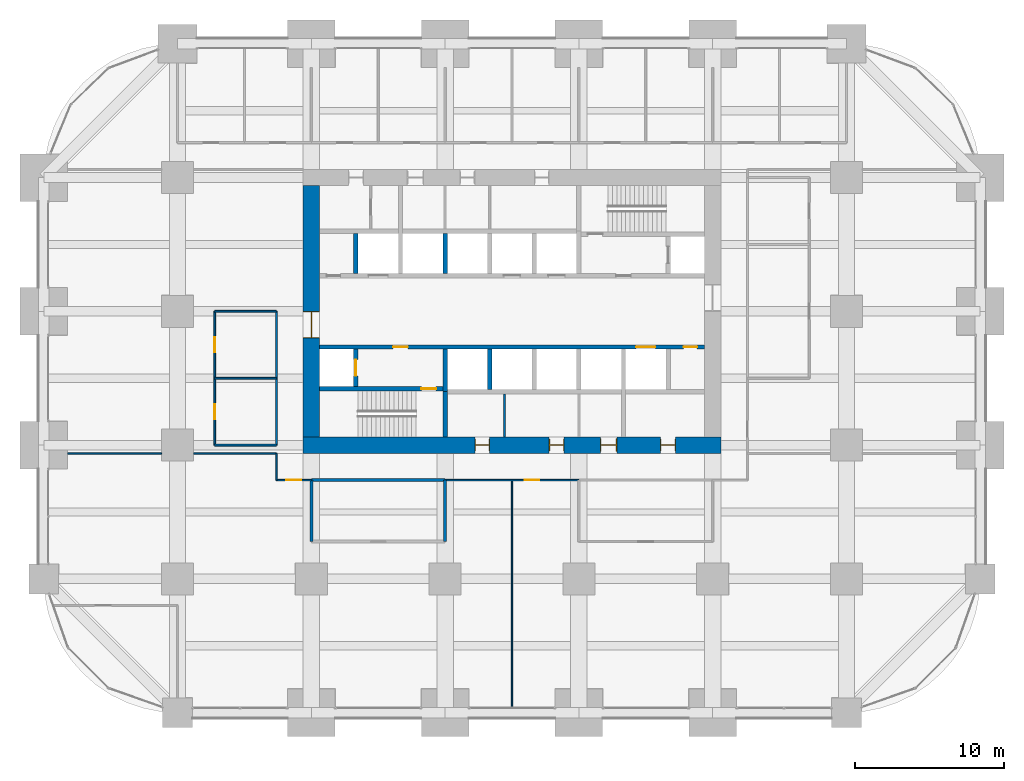
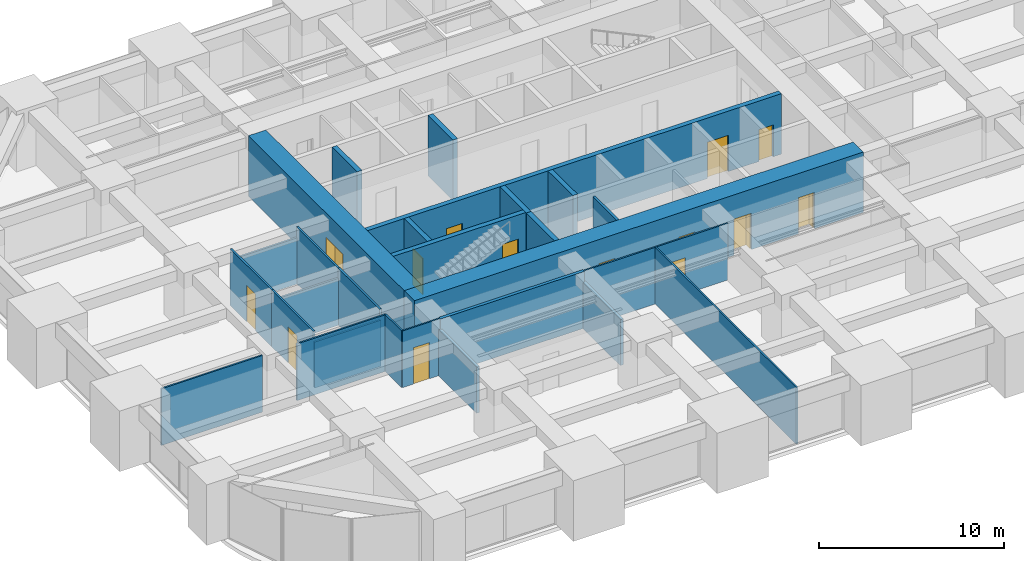
# One storey, part 37 of 41: 27 walls, 14 doors, 14 openings.
"""IFC4 building model written with IfcOpenShell, lengths in metres."""

from ifc_helpers import new_model, si_unit, direction, frame, frame_2d, origin, place, context, subcontext, project, spatial, rectangle, extrude, material, layer, layer_set, type_object, element, fill, save


model = new_model("IFC4")

# Units and contexts
model_context = context("Model", 3, precision=1e-05, world=origin(), true_north=direction((0.0, 1.0)))
body_context = subcontext(model_context, "Body", "Model", "MODEL_VIEW")
ifc_project = project(units=[si_unit("LENGTHUNIT", "METRE"), si_unit("AREAUNIT", "SQUARE_METRE"), si_unit("VOLUMEUNIT", "CUBIC_METRE"), si_unit("PLANEANGLEUNIT", "RADIAN"), si_unit("MASSUNIT", "GRAM", prefix="KILO")], contexts=[model_context])

# Site, building, storey
site_placement = place(None, origin())
site = spatial("IfcSite", under=ifc_project, at=site_placement, CompositionType="ELEMENT")
building_placement = place(site_placement, origin())
building = spatial("IfcBuilding", under=site, at=building_placement, Name="Zorevar Civic Tower", CompositionType="ELEMENT")
storey_placement = place(building_placement, frame((0.0, 0.0, 89.0)))
storey = spatial("IfcBuildingStorey", under=building, at=storey_placement, Name="L21", CompositionType="ELEMENT", Elevation=89.0)

# Walls
ifc_material_1 = material(Name="Concrete blockwork", Category="masonry")
ifc_layer_1 = layer(ifc_material_1, 0.199951171875)
ifc_layer_set_1 = layer_set([ifc_layer_1], Name="Blockwork wall 200")
wall_type_1 = type_object("IfcWallType", Name="Blockwork wall 200", PredefinedType="SOLIDWALL", material=ifc_layer_set_1)
wall_1_placement = place(storey_placement, frame((18.0, 15.64990234375, 0.0), z_axis=(0.0, 0.0, 1.0), x_axis=(1.0, 0.0, 0.0)))
element("IfcWall", 1, at=wall_1_placement, inside=storey, type_object=wall_type_1, Name="Blockwork wall 200 L21", PredefinedType="SOLIDWALL", context=body_context, shape_type="SweptSolid", body=[
    extrude(rectangle(XDim=9.0, YDim=0.199951171875, at=frame_2d((4.5, 0.0))), origin(), (0.0, 0.0, 1.0), 3.75),
])
for number, where, z_axis, x_axis, name in (
    (2, (18.0, 11.5, 0.0), (0.0, 0.0, 1.0), (0.0, 1.0, 0.0), "Blockwork wall 200 L21"),
    (3, (27.0, 11.5, 0.0), (0.0, 0.0, 1.0), (0.0, 1.0, 0.0), "Blockwork wall 200 L21"),
):
    element("IfcWall", number, at=place(storey_placement, frame(where, z_axis=z_axis, x_axis=x_axis)), inside=storey, type_object=wall_type_1, Name=name, PredefinedType="SOLIDWALL", context=body_context, shape_type="SweptSolid", body=[
        extrude(rectangle(XDim=4.14990234375, YDim=0.199951171875, at=frame_2d((2.074951171875, 0.0))), origin(), (0.0, 0.0, 1.0), 3.050048828125),
    ])

# Wall, openings, doors
ifc_material_2 = material(Name="Concrete C50/60", Category="concrete")
ifc_layer_2 = layer(ifc_material_2, 1.10009765625)
ifc_layer_set_2 = layer_set([ifc_layer_2], Name="Core wall 1100")
wall_type_2 = type_object("IfcWallType", Name="Core wall 1100", PredefinedType="SHEAR", material=ifc_layer_set_2)
wall_2_placement = place(storey_placement, frame((17.449951171875, 18.0, 0.0), z_axis=(0.0, 0.0, 1.0), x_axis=(1.0, 0.0, 0.0)))
wall_2 = element("IfcWall", 4, at=wall_2_placement, inside=storey, type_object=wall_type_2, Name="Core wall S L21", PredefinedType="SHEAR", context=body_context, shape_type="SweptSolid", body=[
    extrude(rectangle(XDim=28.10009765625, YDim=1.10009765625, at=frame_2d((14.050048828125, 0.0))), origin(), (0.0, 0.0, 1.0), 4.0),
])
opening_1_placement = place(wall_2_placement, frame((11.550048828125, 0.0, 0.0)))
opening_1 = element("IfcOpeningElement", 5, at=opening_1_placement, cuts=wall_2, Name="Opening L21.03", PredefinedType="OPENING", context=body_context, shape_type="SweptSolid", body=[
    extrude(rectangle(XDim=1.0, YDim=2.39990234375, at=frame_2d((0.5, 1.199951171875))), frame((0.0, 0.56005859375, 0.0), z_axis=(0.0, -1.0, 0.0), x_axis=(1.0, 0.0, 0.0)), (0.0, 0.0, 1.0), 1.1201171875),
])
opening_2_placement = place(wall_2_placement, frame((16.550048828125, 0.0, 0.0)))
opening_2 = element("IfcOpeningElement", 6, at=opening_2_placement, cuts=wall_2, Name="Opening L21.04", PredefinedType="OPENING", context=body_context, shape_type="SweptSolid", body=[
    extrude(rectangle(XDim=1.0, YDim=2.39990234375, at=frame_2d((0.5, 1.199951171875))), frame((0.0, 0.56005859375, 0.0), z_axis=(0.0, -1.0, 0.0), x_axis=(1.0, 0.0, 0.0)), (0.0, 0.0, 1.0), 1.1201171875),
])
opening_3_placement = place(wall_2_placement, frame((20.0, 0.0, 0.0)))
opening_3 = element("IfcOpeningElement", 7, at=opening_3_placement, cuts=wall_2, Name="Opening L21.05", PredefinedType="OPENING", context=body_context, shape_type="SweptSolid", body=[
    extrude(rectangle(XDim=1.10009765625, YDim=2.39990234375, at=frame_2d((0.550048828125, 1.199951171875))), frame((0.0, 0.56005859375, 0.0), z_axis=(0.0, -1.0, 0.0), x_axis=(1.0, 0.0, 0.0)), (0.0, 0.0, 1.0), 1.1201171875),
])
opening_4_placement = place(wall_2_placement, frame((24.050048828125, 0.0, 0.0)))
opening_4 = element("IfcOpeningElement", 8, at=opening_4_placement, cuts=wall_2, Name="Opening L21.06", PredefinedType="OPENING", context=body_context, shape_type="SweptSolid", body=[
    extrude(rectangle(XDim=1.0, YDim=2.39990234375, at=frame_2d((0.5, 1.199951171875))), frame((0.0, 0.56005859375, 0.0), z_axis=(0.0, -1.0, 0.0), x_axis=(1.0, 0.0, 0.0)), (0.0, 0.0, 1.0), 1.1201171875),
])
ifc_material_3 = material(Name="Timber door set", Category="wood")
door_type_1 = type_object("IfcDoorType", Name="Door D1 1000x2400", OperationType="SINGLE_SWING_LEFT", PredefinedType="DOOR", material=ifc_material_3)
door_1_placement = place(opening_1_placement, origin())
door_1 = element("IfcDoor", 9, at=door_1_placement, inside=storey, type_object=door_type_1, Name="Door L21 02", OperationType="SINGLE_SWING_RIGHT", OverallHeight=2.39990234375, OverallWidth=1.0, PredefinedType="DOOR", context=body_context, shape_type="SweptSolid", body=[
    extrude(rectangle(XDim=1.0, YDim=2.39990234375, at=frame_2d((0.5, 1.199951171875))), frame((0.0, 0.02490234375, 0.0), z_axis=(0.0, -1.0, 0.0), x_axis=(1.0, 0.0, 0.0)), (0.0, 0.0, 1.0), 0.050048828125),
    extrude(rectangle(XDim=0.04, YDim=2.39990234375, at=frame_2d((0.02001953125, 1.199951171875))), frame((0.0, 0.39990234375, 0.0), z_axis=(0.0, -1.0, 0.0), x_axis=(1.0, 0.0, 0.0)), (0.0, 0.0, 1.0), 0.800048828125),
    extrude(rectangle(XDim=0.04, YDim=2.39990234375, at=frame_2d((0.97998046875, 1.199951171875))), frame((0.0, 0.39990234375, 0.0), z_axis=(0.0, -1.0, 0.0), x_axis=(1.0, 0.0, 0.0)), (0.0, 0.0, 1.0), 0.800048828125),
    extrude(rectangle(XDim=1.0, YDim=0.04, at=frame_2d((0.5, 2.3798828125))), frame((0.0, 0.39990234375, 0.0), z_axis=(0.0, -1.0, 0.0), x_axis=(1.0, 0.0, 0.0)), (0.0, 0.0, 1.0), 0.800048828125),
])
fill(opening_1, door_1)
door_2_placement = place(opening_2_placement, origin())
door_2 = element("IfcDoor", 10, at=door_2_placement, inside=storey, type_object=door_type_1, Name="Door L21 03", OperationType="SINGLE_SWING_LEFT", OverallHeight=2.39990234375, OverallWidth=1.0, PredefinedType="DOOR", context=body_context, shape_type="SweptSolid", body=[
    extrude(rectangle(XDim=1.0, YDim=2.39990234375, at=frame_2d((0.5, 1.199951171875))), frame((0.0, 0.02490234375, 0.0), z_axis=(0.0, -1.0, 0.0), x_axis=(1.0, 0.0, 0.0)), (0.0, 0.0, 1.0), 0.050048828125),
    extrude(rectangle(XDim=0.04, YDim=2.39990234375, at=frame_2d((0.02001953125, 1.199951171875))), frame((0.0, 0.39990234375, 0.0), z_axis=(0.0, -1.0, 0.0), x_axis=(1.0, 0.0, 0.0)), (0.0, 0.0, 1.0), 0.800048828125),
    extrude(rectangle(XDim=0.04, YDim=2.39990234375, at=frame_2d((0.97998046875, 1.199951171875))), frame((0.0, 0.39990234375, 0.0), z_axis=(0.0, -1.0, 0.0), x_axis=(1.0, 0.0, 0.0)), (0.0, 0.0, 1.0), 0.800048828125),
    extrude(rectangle(XDim=1.0, YDim=0.04, at=frame_2d((0.5, 2.3798828125))), frame((0.0, 0.39990234375, 0.0), z_axis=(0.0, -1.0, 0.0), x_axis=(1.0, 0.0, 0.0)), (0.0, 0.0, 1.0), 0.800048828125),
])
fill(opening_2, door_2)
door_3_placement = place(opening_4_placement, origin())
door_3 = element("IfcDoor", 11, at=door_3_placement, inside=storey, type_object=door_type_1, Name="Door L21 05", OperationType="SINGLE_SWING_LEFT", OverallHeight=2.39990234375, OverallWidth=1.0, PredefinedType="DOOR", context=body_context, shape_type="SweptSolid", body=[
    extrude(rectangle(XDim=1.0, YDim=2.39990234375, at=frame_2d((0.5, 1.199951171875))), frame((0.0, 0.02490234375, 0.0), z_axis=(0.0, -1.0, 0.0), x_axis=(1.0, 0.0, 0.0)), (0.0, 0.0, 1.0), 0.050048828125),
    extrude(rectangle(XDim=0.04, YDim=2.39990234375, at=frame_2d((0.02001953125, 1.199951171875))), frame((0.0, 0.39990234375, 0.0), z_axis=(0.0, -1.0, 0.0), x_axis=(1.0, 0.0, 0.0)), (0.0, 0.0, 1.0), 0.800048828125),
    extrude(rectangle(XDim=0.04, YDim=2.39990234375, at=frame_2d((0.97998046875, 1.199951171875))), frame((0.0, 0.39990234375, 0.0), z_axis=(0.0, -1.0, 0.0), x_axis=(1.0, 0.0, 0.0)), (0.0, 0.0, 1.0), 0.800048828125),
    extrude(rectangle(XDim=1.0, YDim=0.04, at=frame_2d((0.5, 2.3798828125))), frame((0.0, 0.39990234375, 0.0), z_axis=(0.0, -1.0, 0.0), x_axis=(1.0, 0.0, 0.0)), (0.0, 0.0, 1.0), 0.800048828125),
])
fill(opening_4, door_3)
ifc_material_4 = material(Name="Timber door set", Category="wood")
door_type_2 = type_object("IfcDoorType", Name="Door D5 1100x2400", OperationType="SINGLE_SWING_LEFT", PredefinedType="DOOR", material=ifc_material_4)
door_4_placement = place(opening_3_placement, origin())
door_4 = element("IfcDoor", 12, at=door_4_placement, inside=storey, type_object=door_type_2, Name="Door L21 04", OperationType="SINGLE_SWING_LEFT", OverallHeight=2.39990234375, OverallWidth=1.10009765625, PredefinedType="DOOR", context=body_context, shape_type="SweptSolid", body=[
    extrude(rectangle(XDim=1.10009765625, YDim=2.39990234375, at=frame_2d((0.550048828125, 1.199951171875))), frame((0.0, 0.02490234375, 0.0), z_axis=(0.0, -1.0, 0.0), x_axis=(1.0, 0.0, 0.0)), (0.0, 0.0, 1.0), 0.050048828125),
    extrude(rectangle(XDim=0.04, YDim=2.39990234375, at=frame_2d((0.02001953125, 1.199951171875))), frame((0.0, 0.43994140625, 0.0), z_axis=(0.0, -1.0, 0.0), x_axis=(1.0, 0.0, 0.0)), (0.0, 0.0, 1.0), 0.880126953125),
    extrude(rectangle(XDim=0.04, YDim=2.39990234375, at=frame_2d((1.080078125, 1.199951171875))), frame((0.0, 0.43994140625, 0.0), z_axis=(0.0, -1.0, 0.0), x_axis=(1.0, 0.0, 0.0)), (0.0, 0.0, 1.0), 0.880126953125),
    extrude(rectangle(XDim=1.10009765625, YDim=0.04, at=frame_2d((0.550048828125, 2.3798828125))), frame((0.0, 0.43994140625, 0.0), z_axis=(0.0, -1.0, 0.0), x_axis=(1.0, 0.0, 0.0)), (0.0, 0.0, 1.0), 0.880126953125),
])
fill(opening_3, door_4)

# Wall, opening, door
wall_3_placement = place(storey_placement, frame((18.0, 35.449951171875, 0.0), z_axis=(0.0, 0.0, 1.0), x_axis=(0.0, -1.0, 0.0)))
wall_3 = element("IfcWall", 13, at=wall_3_placement, inside=storey, type_object=wall_type_2, Name="Core wall W L21", PredefinedType="SHEAR", context=body_context, shape_type="SweptSolid", body=[
    extrude(rectangle(XDim=16.89990234375, YDim=1.10009765625, at=frame_2d((8.449951171875, 0.0))), origin(), (0.0, 0.0, 1.0), 4.0),
])
opening_5_placement = place(wall_3_placement, frame((8.449951171875, 0.0, 0.0)))
opening_5 = element("IfcOpeningElement", 14, at=opening_5_placement, cuts=wall_3, Name="Opening L21.01", PredefinedType="OPENING", context=body_context, shape_type="SweptSolid", body=[
    extrude(rectangle(XDim=1.800048828125, YDim=2.39990234375, at=frame_2d((0.89990234375, 1.199951171875))), frame((0.0, 0.56005859375, 0.0), z_axis=(0.0, -1.0, 0.0), x_axis=(1.0, 0.0, 0.0)), (0.0, 0.0, 1.0), 1.1201171875),
])
ifc_material_5 = material(Name="Steel door set", Category="steel")
door_type_3 = type_object("IfcDoorType", Name="Fire door FD2 1800x2400", OperationType="DOUBLE_DOOR_DOUBLE_SWING", PredefinedType="DOOR", material=ifc_material_5)
door_5_placement = place(opening_5_placement, origin())
door_5 = element("IfcDoor", 15, at=door_5_placement, inside=storey, type_object=door_type_3, Name="Door L21 00", OperationType="DOUBLE_DOOR_DOUBLE_SWING", OverallHeight=2.39990234375, OverallWidth=1.800048828125, PredefinedType="DOOR", context=body_context, shape_type="SweptSolid", body=[
    extrude(rectangle(XDim=1.800048828125, YDim=2.39990234375, at=frame_2d((0.89990234375, 1.199951171875))), frame((0.0, 0.030029296875, 0.0), z_axis=(0.0, -1.0, 0.0), x_axis=(1.0, 0.0, 0.0)), (0.0, 0.0, 1.0), 0.06005859375),
    extrude(rectangle(XDim=0.04, YDim=2.39990234375, at=frame_2d((0.02001953125, 1.199951171875))), frame((0.0, 0.5498046875, 0.0), z_axis=(0.0, -1.0, 0.0), x_axis=(1.0, 0.0, 0.0)), (0.0, 0.0, 1.0), 1.099609375),
    extrude(rectangle(XDim=0.04, YDim=2.39990234375, at=frame_2d((1.780029296875, 1.199951171875))), frame((0.0, 0.5498046875, 0.0), z_axis=(0.0, -1.0, 0.0), x_axis=(1.0, 0.0, 0.0)), (0.0, 0.0, 1.0), 1.099609375),
    extrude(rectangle(XDim=1.800048828125, YDim=0.04, at=frame_2d((0.89990234375, 2.3798828125))), frame((0.0, 0.5498046875, 0.0), z_axis=(0.0, -1.0, 0.0), x_axis=(1.0, 0.0, 0.0)), (0.0, 0.0, 1.0), 1.099609375),
])
fill(opening_5, door_5)

ifc_material_6 = material(Name="Laminated glass in black aluminium frame", Category="aluminium")
ifc_layer_3 = layer(ifc_material_6, 0.10009765625)
ifc_layer_set_3 = layer_set([ifc_layer_3], Name="Glazed partition 100")
wall_type_3 = type_object("IfcWallType", Name="Glazed partition 100", PredefinedType="PARTITIONING", material=ifc_layer_set_3)
wall_4_placement = place(storey_placement, frame((15.64990234375, 15.64990234375, 0.0), z_axis=(0.0, 0.0, 1.0), x_axis=(1.0, 0.0, 0.0)))
wall_4 = element("IfcWall", 16, at=wall_4_placement, inside=storey, type_object=wall_type_3, Name="Glazed partition 100 L21", PredefinedType="PARTITIONING", context=body_context, shape_type="SweptSolid", body=[
    extrude(rectangle(XDim=2.35009765625, YDim=0.10009765625, at=frame_2d((1.175048828125, 0.0))), origin(), (0.0, 0.0, 1.0), 3.75),
])
opening_6_placement = place(wall_4_placement, frame((0.675048828125, 0.0, 0.0)))
opening_6 = element("IfcOpeningElement", 17, at=opening_6_placement, cuts=wall_4, Name="Opening L21.20", PredefinedType="OPENING", context=body_context, shape_type="SweptSolid", body=[
    extrude(rectangle(XDim=1.0, YDim=2.39990234375, at=frame_2d((0.5, 1.199951171875))), frame((0.0, 0.06005859375, 0.0), z_axis=(0.0, -1.0, 0.0), x_axis=(1.0, 0.0, 0.0)), (0.0, 0.0, 1.0), 0.1201171875),
])
ifc_material_7 = material(Name="Timber door set", Category="wood")
door_type_4 = type_object("IfcDoorType", Name="Glazed door GD1 1000x2400", OperationType="SINGLE_SWING_LEFT", PredefinedType="DOOR", material=ifc_material_7)
door_6_placement = place(opening_6_placement, origin())
door_6 = element("IfcDoor", 18, at=door_6_placement, inside=storey, type_object=door_type_4, Name="Door L21 D1", OperationType="SINGLE_SWING_RIGHT", OverallHeight=2.39990234375, OverallWidth=1.0, PredefinedType="DOOR", context=body_context, shape_type="SweptSolid", body=[
    extrude(rectangle(XDim=1.0, YDim=2.39990234375, at=frame_2d((0.5, 1.199951171875))), frame((0.0, 0.02001953125, 0.0), z_axis=(0.0, -1.0, 0.0), x_axis=(1.0, 0.0, 0.0)), (0.0, 0.0, 1.0), 0.0400390625),
])
fill(opening_6, door_6)

wall_5_placement = place(storey_placement, frame((27.0, 15.64990234375, 0.0), z_axis=(0.0, 0.0, 1.0), x_axis=(1.0, 0.0, 0.0)))
wall_5 = element("IfcWall", 19, at=wall_5_placement, inside=storey, type_object=wall_type_3, Name="Glazed partition 100 L21", PredefinedType="PARTITIONING", context=body_context, shape_type="SweptSolid", body=[
    extrude(rectangle(XDim=9.0, YDim=0.10009765625, at=frame_2d((4.5, 0.0))), origin(), (0.0, 0.0, 1.0), 3.75),
])
opening_7_placement = place(wall_5_placement, frame((5.35009765625, 0.0, 0.0)))
opening_7 = element("IfcOpeningElement", 20, at=opening_7_placement, cuts=wall_5, Name="Opening L21.21", PredefinedType="OPENING", context=body_context, shape_type="SweptSolid", body=[
    extrude(rectangle(XDim=1.0, YDim=2.39990234375, at=frame_2d((0.5, 1.199951171875))), frame((0.0, 0.06005859375, 0.0), z_axis=(0.0, -1.0, 0.0), x_axis=(1.0, 0.0, 0.0)), (0.0, 0.0, 1.0), 0.1201171875),
])
door_7_placement = place(opening_7_placement, origin())
door_7 = element("IfcDoor", 21, at=door_7_placement, inside=storey, type_object=door_type_4, Name="Door L21 D1", OperationType="SINGLE_SWING_RIGHT", OverallHeight=2.39990234375, OverallWidth=1.0, PredefinedType="DOOR", context=body_context, shape_type="SweptSolid", body=[
    extrude(rectangle(XDim=1.0, YDim=2.39990234375, at=frame_2d((0.5, 1.199951171875))), frame((0.0, 0.02001953125, 0.0), z_axis=(0.0, -1.0, 0.0), x_axis=(1.0, 0.0, 0.0)), (0.0, 0.0, 1.0), 0.0400390625),
])
fill(opening_7, door_7)

# Walls
wall_6_placement = place(storey_placement, frame((1.60009765625, 17.449951171875, 0.0), z_axis=(0.0, 0.0, 1.0), x_axis=(1.0, 0.0, 0.0)))
element("IfcWall", 22, at=wall_6_placement, inside=storey, type_object=wall_type_3, Name="Glazed partition 100 L21", PredefinedType="PARTITIONING", context=body_context, shape_type="SweptSolid", body=[
    extrude(rectangle(XDim=6.324951171875, YDim=0.10009765625, at=frame_2d((3.16259765625, 0.0))), origin(), (0.0, 0.0, 1.0), 3.75),
])
wall_7_placement = place(storey_placement, frame((10.074951171875, 17.449951171875, 0.0), z_axis=(0.0, 0.0, 1.0), x_axis=(1.0, 0.0, 0.0)))
element("IfcWall", 23, at=wall_7_placement, inside=storey, type_object=wall_type_3, Name="Glazed partition 100 L21", PredefinedType="PARTITIONING", context=body_context, shape_type="SweptSolid", body=[
    extrude(rectangle(XDim=5.574951171875, YDim=0.10009765625, at=frame_2d((2.78759765625, 0.0))), origin(), (0.0, 0.0, 1.0), 3.75),
])
wall_8_placement = place(storey_placement, frame((15.64990234375, 15.64990234375, 0.0), z_axis=(0.0, 0.0, 1.0), x_axis=(0.0, 1.0, 0.0)))
element("IfcWall", 24, at=wall_8_placement, inside=storey, type_object=wall_type_3, Name="Glazed partition 100 L21", PredefinedType="PARTITIONING", context=body_context, shape_type="SweptSolid", body=[
    extrude(rectangle(XDim=1.800048828125, YDim=0.10009765625, at=frame_2d((0.89990234375, 0.0))), origin(), (0.0, 0.0, 1.0), 3.75),
])
wall_9_placement = place(storey_placement, frame((31.5, 0.31005859375, 0.0), z_axis=(0.0, 0.0, 1.0), x_axis=(0.0, 1.0, 0.0)))
element("IfcWall", 25, at=wall_9_placement, inside=storey, type_object=wall_type_3, Name="Glazed partition 100 L21", PredefinedType="PARTITIONING", context=body_context, shape_type="SweptSolid", body=[
    extrude(rectangle(XDim=15.33984375, YDim=0.10009765625, at=frame_2d((7.669921875, 0.0))), origin(), (0.0, 0.0, 1.0), 3.75),
])

# Wall, opening, door
ifc_material_8 = material(Name="Concrete C40/50", Category="concrete")
ifc_layer_4 = layer(ifc_material_8, 0.300048828125)
ifc_layer_set_4 = layer_set([ifc_layer_4], Name="Inner core wall 300")
wall_type_4 = type_object("IfcWallType", Name="Inner core wall 300", PredefinedType="SHEAR", material=ifc_layer_set_4)
wall_10_placement = place(storey_placement, frame((18.550048828125, 21.800048828125, 0.0), z_axis=(0.0, 0.0, 1.0), x_axis=(1.0, 0.0, 0.0)))
wall_10 = element("IfcWall", 26, at=wall_10_placement, inside=storey, type_object=wall_type_4, Name="Inner core wall S00 L21", PredefinedType="SHEAR", context=body_context, shape_type="SweptSolid", body=[
    extrude(rectangle(XDim=8.300048828125, YDim=0.300048828125, at=frame_2d((4.14990234375, 0.0))), origin(), (0.0, 0.0, 1.0), 4.0),
])
opening_8_placement = place(wall_10_placement, frame((6.85009765625, 0.0, 0.0)))
opening_8 = element("IfcOpeningElement", 27, at=opening_8_placement, cuts=wall_10, Name="Opening L21.11", PredefinedType="OPENING", context=body_context, shape_type="SweptSolid", body=[
    extrude(rectangle(XDim=1.0, YDim=2.39990234375, at=frame_2d((0.5, 1.199951171875))), frame((0.0, 0.159912109375, 0.0), z_axis=(0.0, -1.0, 0.0), x_axis=(1.0, 0.0, 0.0)), (0.0, 0.0, 1.0), 0.320068359375),
])
ifc_material_9 = material(Name="Steel door set", Category="steel")
door_type_5 = type_object("IfcDoorType", Name="Fire door FD1 1000x2400", OperationType="SINGLE_SWING_LEFT", PredefinedType="DOOR", material=ifc_material_9)
door_8_placement = place(opening_8_placement, origin())
door_8 = element("IfcDoor", 28, at=door_8_placement, inside=storey, type_object=door_type_5, Name="Door L21 10", OperationType="SINGLE_SWING_RIGHT", OverallHeight=2.39990234375, OverallWidth=1.0, PredefinedType="DOOR", context=body_context, shape_type="SweptSolid", body=[
    extrude(rectangle(XDim=1.0, YDim=2.39990234375, at=frame_2d((0.5, 1.199951171875))), frame((0.0, 0.030029296875, 0.0), z_axis=(0.0, -1.0, 0.0), x_axis=(1.0, 0.0, 0.0)), (0.0, 0.0, 1.0), 0.06005859375),
])
fill(opening_8, door_8)

# Wall
wall_11_placement = place(storey_placement, frame((27.0, 18.550048828125, 0.0), z_axis=(0.0, 0.0, 1.0), x_axis=(0.0, 1.0, 0.0)))
element("IfcWall", 29, at=wall_11_placement, inside=storey, type_object=wall_type_4, Name="Inner core wall S01 L21", PredefinedType="SHEAR", context=body_context, shape_type="SweptSolid", body=[
    extrude(rectangle(XDim=3.050048828125, YDim=0.300048828125, at=frame_2d((1.52490234375, 0.0))), origin(), (0.0, 0.0, 1.0), 4.0),
])

# Wall, opening, door
wall_12_placement = place(storey_placement, frame((21.0, 21.949951171875, 0.0), z_axis=(0.0, 0.0, 1.0), x_axis=(0.0, 1.0, 0.0)))
wall_12 = element("IfcWall", 30, at=wall_12_placement, inside=storey, type_object=wall_type_4, Name="Inner core wall S02 L21", PredefinedType="SHEAR", context=body_context, shape_type="SweptSolid", body=[
    extrude(rectangle(XDim=2.5, YDim=0.300048828125, at=frame_2d((1.25, 0.0))), origin(), (0.0, 0.0, 1.0), 4.0),
])
opening_9_placement = place(wall_12_placement, frame((0.699951171875, 0.0, 0.0)))
opening_9 = element("IfcOpeningElement", 31, at=opening_9_placement, cuts=wall_12, Name="Opening L21.FL1", PredefinedType="OPENING", context=body_context, shape_type="SweptSolid", body=[
    extrude(rectangle(XDim=1.10009765625, YDim=2.39990234375, at=frame_2d((0.550048828125, 1.199951171875))), frame((0.0, 0.159912109375, 0.0), z_axis=(0.0, -1.0, 0.0), x_axis=(1.0, 0.0, 0.0)), (0.0, 0.0, 1.0), 0.320068359375),
])
ifc_material_10 = material(Name="Steel door set", Category="steel")
door_type_6 = type_object("IfcDoorType", Name="Firefighting lift landing door LD3 1100x2400", OperationType="DOUBLE_DOOR_SLIDING", PredefinedType="DOOR", material=ifc_material_10)
door_9_placement = place(opening_9_placement, origin())
door_9 = element("IfcDoor", 32, at=door_9_placement, inside=storey, type_object=door_type_6, Name="Landing door FL1 L21", OperationType="DOUBLE_DOOR_SLIDING", OverallHeight=2.39990234375, OverallWidth=1.10009765625, PredefinedType="DOOR", context=body_context, shape_type="SweptSolid", body=[
    extrude(rectangle(XDim=1.10009765625, YDim=2.39990234375, at=frame_2d((0.550048828125, 1.199951171875))), frame((0.0, 0.030029296875, 0.0), z_axis=(0.0, -1.0, 0.0), x_axis=(1.0, 0.0, 0.0)), (0.0, 0.0, 1.0), 0.06005859375),
])
fill(opening_9, door_9)

# Wall, openings, doors
wall_13_placement = place(storey_placement, frame((18.550048828125, 24.60009765625, 0.0), z_axis=(0.0, 0.0, 1.0), x_axis=(1.0, 0.0, 0.0)))
wall_13 = element("IfcWall", 33, at=wall_13_placement, inside=storey, type_object=wall_type_4, Name="Inner core wall S03 L21", PredefinedType="SHEAR", context=body_context, shape_type="SweptSolid", body=[
    extrude(rectangle(XDim=25.89990234375, YDim=0.300048828125, at=frame_2d((12.949951171875, 0.0))), origin(), (0.0, 0.0, 1.0), 4.0),
])
opening_10_placement = place(wall_13_placement, frame((4.949951171875, 0.0, 0.0)))
opening_10 = element("IfcOpeningElement", 34, at=opening_10_placement, cuts=wall_13, Name="Opening L21.13", PredefinedType="OPENING", context=body_context, shape_type="SweptSolid", body=[
    extrude(rectangle(XDim=1.0, YDim=2.39990234375, at=frame_2d((0.5, 1.199951171875))), frame((0.0, 0.159912109375, 0.0), z_axis=(0.0, -1.0, 0.0), x_axis=(1.0, 0.0, 0.0)), (0.0, 0.0, 1.0), 0.320068359375),
])
opening_11_placement = place(wall_13_placement, frame((24.5, 0.0, 0.0)))
opening_11 = element("IfcOpeningElement", 35, at=opening_11_placement, cuts=wall_13, Name="Opening L21.15", PredefinedType="OPENING", context=body_context, shape_type="SweptSolid", body=[
    extrude(rectangle(XDim=0.89990234375, YDim=2.10009765625, at=frame_2d((0.449951171875, 1.050048828125))), frame((0.0, 0.159912109375, 0.0), z_axis=(0.0, -1.0, 0.0), x_axis=(1.0, 0.0, 0.0)), (0.0, 0.0, 1.0), 0.320068359375),
])
opening_12_placement = place(wall_13_placement, frame((21.300048828125, 0.0, 0.0)))
opening_12 = element("IfcOpeningElement", 36, at=opening_12_placement, cuts=wall_13, Name="Opening L21.SL1", PredefinedType="OPENING", context=body_context, shape_type="SweptSolid", body=[
    extrude(rectangle(XDim=1.300048828125, YDim=2.39990234375, at=frame_2d((0.64990234375, 1.199951171875))), frame((0.0, 0.159912109375, 0.0), z_axis=(0.0, -1.0, 0.0), x_axis=(1.0, 0.0, 0.0)), (0.0, 0.0, 1.0), 0.320068359375),
])
door_10_placement = place(opening_10_placement, origin())
door_10 = element("IfcDoor", 37, at=door_10_placement, inside=storey, type_object=door_type_5, Name="Door L21 12", OperationType="SINGLE_SWING_RIGHT", OverallHeight=2.39990234375, OverallWidth=1.0, PredefinedType="DOOR", context=body_context, shape_type="SweptSolid", body=[
    extrude(rectangle(XDim=1.0, YDim=2.39990234375, at=frame_2d((0.5, 1.199951171875))), frame((0.0, 0.030029296875, 0.0), z_axis=(0.0, -1.0, 0.0), x_axis=(1.0, 0.0, 0.0)), (0.0, 0.0, 1.0), 0.06005859375),
])
fill(opening_10, door_10)
ifc_material_11 = material(Name="Steel door set", Category="steel")
door_type_7 = type_object("IfcDoorType", Name="Landing door LD2 1300x2400", OperationType="DOUBLE_DOOR_SLIDING", PredefinedType="DOOR", material=ifc_material_11)
door_11_placement = place(opening_12_placement, origin())
door_11 = element("IfcDoor", 38, at=door_11_placement, inside=storey, type_object=door_type_7, Name="Landing door SL1 L21", OperationType="DOUBLE_DOOR_SLIDING", OverallHeight=2.39990234375, OverallWidth=1.300048828125, PredefinedType="DOOR", context=body_context, shape_type="SweptSolid", body=[
    extrude(rectangle(XDim=1.300048828125, YDim=2.39990234375, at=frame_2d((0.64990234375, 1.199951171875))), frame((0.0, 0.02001953125, 0.0), z_axis=(0.0, -1.0, 0.0), x_axis=(1.0, 0.0, 0.0)), (0.0, 0.0, 1.0), 0.0400390625),
])
fill(opening_12, door_11)
ifc_material_12 = material(Name="Steel door set", Category="steel")
door_type_8 = type_object("IfcDoorType", Name="Riser door RD1 900x2100", OperationType="SINGLE_SWING_LEFT", PredefinedType="DOOR", material=ifc_material_12)
door_12_placement = place(opening_11_placement, origin())
door_12 = element("IfcDoor", 39, at=door_12_placement, inside=storey, type_object=door_type_8, Name="Door L21 14", OperationType="SINGLE_SWING_RIGHT", OverallHeight=2.10009765625, OverallWidth=0.89990234375, PredefinedType="DOOR", context=body_context, shape_type="SweptSolid", body=[
    extrude(rectangle(XDim=0.89990234375, YDim=2.10009765625, at=frame_2d((0.449951171875, 1.050048828125))), frame((0.0, 0.030029296875, 0.0), z_axis=(0.0, -1.0, 0.0), x_axis=(1.0, 0.0, 0.0)), (0.0, 0.0, 1.0), 0.06005859375),
])
fill(opening_11, door_12)

# Walls
for number, where, z_axis, x_axis, name in (
    (40, (30.0, 21.75, 0.0), (0.0, 0.0, 1.0), (0.0, 1.0, 0.0), "Inner core wall S05 L21"),
    (41, (27.0, 29.550048828125, 0.0), (0.0, 0.0, 1.0), (0.0, 1.0, 0.0), "Inner core wall N07 L21"),
    (42, (21.0, 29.550048828125, 0.0), (0.0, 0.0, 1.0), (0.0, 1.0, 0.0), "Inner core wall N09 L21"),
):
    element("IfcWall", number, at=place(storey_placement, frame(where, z_axis=z_axis, x_axis=x_axis)), inside=storey, type_object=wall_type_4, Name=name, PredefinedType="SHEAR", context=body_context, shape_type="SweptSolid", body=[
        extrude(rectangle(XDim=2.699951171875, YDim=0.300048828125, at=frame_2d((1.35009765625, 0.0))), origin(), (0.0, 0.0, 1.0), 4.0),
    ])
wall_14_placement = place(storey_placement, frame((27.0, 21.60009765625, 0.0), z_axis=(0.0, 0.0, 1.0), x_axis=(0.0, 1.0, 0.0)))
element("IfcWall", 43, at=wall_14_placement, inside=storey, type_object=wall_type_4, Name="Inner core wall S10 L21", PredefinedType="SHEAR", context=body_context, shape_type="SweptSolid", body=[
    extrude(rectangle(XDim=2.849853515625, YDim=0.300048828125, at=frame_2d((1.4248046875, 0.0))), origin(), (0.0, 0.0, 1.0), 4.0),
])
ifc_material_13 = material(Name="Gypsum board on steel studs", Category="steel")
ifc_layer_5 = layer(ifc_material_13, 0.1201171875)
ifc_layer_set_5 = layer_set([ifc_layer_5], Name="Partition 120")
wall_type_5 = type_object("IfcWallType", Name="Partition 120", PredefinedType="PARTITIONING", material=ifc_layer_set_5)
wall_15_placement = place(storey_placement, frame((11.5, 18.0, 0.0), z_axis=(0.0, 0.0, 1.0), x_axis=(1.0, 0.0, 0.0)))
element("IfcWall", 44, at=wall_15_placement, inside=storey, type_object=wall_type_5, Name="Partition 120 L21", PredefinedType="PARTITIONING", context=body_context, shape_type="SweptSolid", body=[
    extrude(rectangle(XDim=4.14990234375, YDim=0.1201171875, at=frame_2d((2.074951171875, 0.0))), origin(), (0.0, 0.0, 1.0), 3.050048828125),
])
wall_16_placement = place(storey_placement, frame((11.5, 22.5, 0.0), z_axis=(0.0, 0.0, 1.0), x_axis=(1.0, 0.0, 0.0)))
element("IfcWall", 45, at=wall_16_placement, inside=storey, type_object=wall_type_5, Name="Partition 120 L21", PredefinedType="PARTITIONING", context=body_context, shape_type="SweptSolid", body=[
    extrude(rectangle(XDim=4.14990234375, YDim=0.1201171875, at=frame_2d((2.074951171875, 0.0))), origin(), (0.0, 0.0, 1.0), 3.10009765625),
])
wall_17_placement = place(storey_placement, frame((11.5, 27.0, 0.0), z_axis=(0.0, 0.0, 1.0), x_axis=(1.0, 0.0, 0.0)))
element("IfcWall", 46, at=wall_17_placement, inside=storey, type_object=wall_type_5, Name="Partition 120 L21", PredefinedType="PARTITIONING", context=body_context, shape_type="SweptSolid", body=[
    extrude(rectangle(XDim=4.14990234375, YDim=0.1201171875, at=frame_2d((2.074951171875, 0.0))), origin(), (0.0, 0.0, 1.0), 3.050048828125),
])

# Wall, opening, door
wall_18_placement = place(storey_placement, frame((11.5, 18.0, 0.0), z_axis=(0.0, 0.0, 1.0), x_axis=(0.0, 1.0, 0.0)))
wall_18 = element("IfcWall", 47, at=wall_18_placement, inside=storey, type_object=wall_type_5, Name="Partition 120 L21", PredefinedType="PARTITIONING", context=body_context, shape_type="SweptSolid", body=[
    extrude(rectangle(XDim=4.5, YDim=0.1201171875, at=frame_2d((2.25, 0.0))), origin(), (0.0, 0.0, 1.0), 3.75),
])
opening_13_placement = place(wall_18_placement, frame((1.75, 0.0, 0.0)))
opening_13 = element("IfcOpeningElement", 48, at=opening_13_placement, cuts=wall_18, Name="Opening L21.32", PredefinedType="OPENING", context=body_context, shape_type="SweptSolid", body=[
    extrude(rectangle(XDim=1.0, YDim=2.39990234375, at=frame_2d((0.5, 1.199951171875))), frame((0.0, 0.070068359375, 0.0), z_axis=(0.0, -1.0, 0.0), x_axis=(1.0, 0.0, 0.0)), (0.0, 0.0, 1.0), 0.14013671875),
])
door_13_placement = place(opening_13_placement, origin())
door_13 = element("IfcDoor", 49, at=door_13_placement, inside=storey, type_object=door_type_1, Name="Door L21 D1", OperationType="SINGLE_SWING_RIGHT", OverallHeight=2.39990234375, OverallWidth=1.0, PredefinedType="DOOR", context=body_context, shape_type="SweptSolid", body=[
    extrude(rectangle(XDim=1.0, YDim=2.39990234375, at=frame_2d((0.5, 1.199951171875))), frame((0.0, 0.02490234375, 0.0), z_axis=(0.0, -1.0, 0.0), x_axis=(1.0, 0.0, 0.0)), (0.0, 0.0, 1.0), 0.050048828125),
])
fill(opening_13, door_13)

wall_19_placement = place(storey_placement, frame((11.5, 22.5, 0.0), z_axis=(0.0, 0.0, 1.0), x_axis=(0.0, 1.0, 0.0)))
wall_19 = element("IfcWall", 50, at=wall_19_placement, inside=storey, type_object=wall_type_5, Name="Partition 120 L21", PredefinedType="PARTITIONING", context=body_context, shape_type="SweptSolid", body=[
    extrude(rectangle(XDim=4.5, YDim=0.1201171875, at=frame_2d((2.25, 0.0))), origin(), (0.0, 0.0, 1.0), 3.75),
])
opening_14_placement = place(wall_19_placement, frame((1.75, 0.0, 0.0)))
opening_14 = element("IfcOpeningElement", 51, at=opening_14_placement, cuts=wall_19, Name="Opening L21.33", PredefinedType="OPENING", context=body_context, shape_type="SweptSolid", body=[
    extrude(rectangle(XDim=1.0, YDim=2.39990234375, at=frame_2d((0.5, 1.199951171875))), frame((0.0, 0.070068359375, 0.0), z_axis=(0.0, -1.0, 0.0), x_axis=(1.0, 0.0, 0.0)), (0.0, 0.0, 1.0), 0.14013671875),
])
door_14_placement = place(opening_14_placement, origin())
door_14 = element("IfcDoor", 52, at=door_14_placement, inside=storey, type_object=door_type_1, Name="Door L21 D1", OperationType="SINGLE_SWING_RIGHT", OverallHeight=2.39990234375, OverallWidth=1.0, PredefinedType="DOOR", context=body_context, shape_type="SweptSolid", body=[
    extrude(rectangle(XDim=1.0, YDim=2.39990234375, at=frame_2d((0.5, 1.199951171875))), frame((0.0, 0.02490234375, 0.0), z_axis=(0.0, -1.0, 0.0), x_axis=(1.0, 0.0, 0.0)), (0.0, 0.0, 1.0), 0.050048828125),
])
fill(opening_14, door_14)

# Walls
for number, where, z_axis, x_axis, name in (
    (53, (15.64990234375, 18.0, 0.0), (0.0, 0.0, 1.0), (0.0, 1.0, 0.0), "Partition 120 L21"),
    (54, (15.64990234375, 22.5, 0.0), (0.0, 0.0, 1.0), (0.0, 1.0, 0.0), "Partition 120 L21"),
):
    element("IfcWall", number, at=place(storey_placement, frame(where, z_axis=z_axis, x_axis=x_axis)), inside=storey, type_object=wall_type_5, Name=name, PredefinedType="PARTITIONING", context=body_context, shape_type="SweptSolid", body=[
        extrude(rectangle(XDim=4.5, YDim=0.1201171875, at=frame_2d((2.25, 0.0))), origin(), (0.0, 0.0, 1.0), 3.75),
    ])
ifc_material_14 = material(Name="Gypsum board on steel studs, moisture resistant", Category="steel")
ifc_layer_6 = layer(ifc_material_14, 0.14990234375)
ifc_layer_set_6 = layer_set([ifc_layer_6], Name="WC partition 150")
wall_type_6 = type_object("IfcWallType", Name="WC partition 150", PredefinedType="PARTITIONING", material=ifc_layer_set_6)
wall_20_placement = place(storey_placement, frame((31.0, 18.550048828125, 0.0), z_axis=(0.0, 0.0, 1.0), x_axis=(0.0, 1.0, 0.0)))
element("IfcWall", 55, at=wall_20_placement, inside=storey, type_object=wall_type_6, Name="WC partition L21", PredefinedType="PARTITIONING", context=body_context, shape_type="SweptSolid", body=[
    extrude(rectangle(XDim=2.89990234375, YDim=0.14990234375, at=frame_2d((1.449951171875, 0.0))), origin(), (0.0, 0.0, 1.0), 3.75),
])

save(model, "model.ifc")
